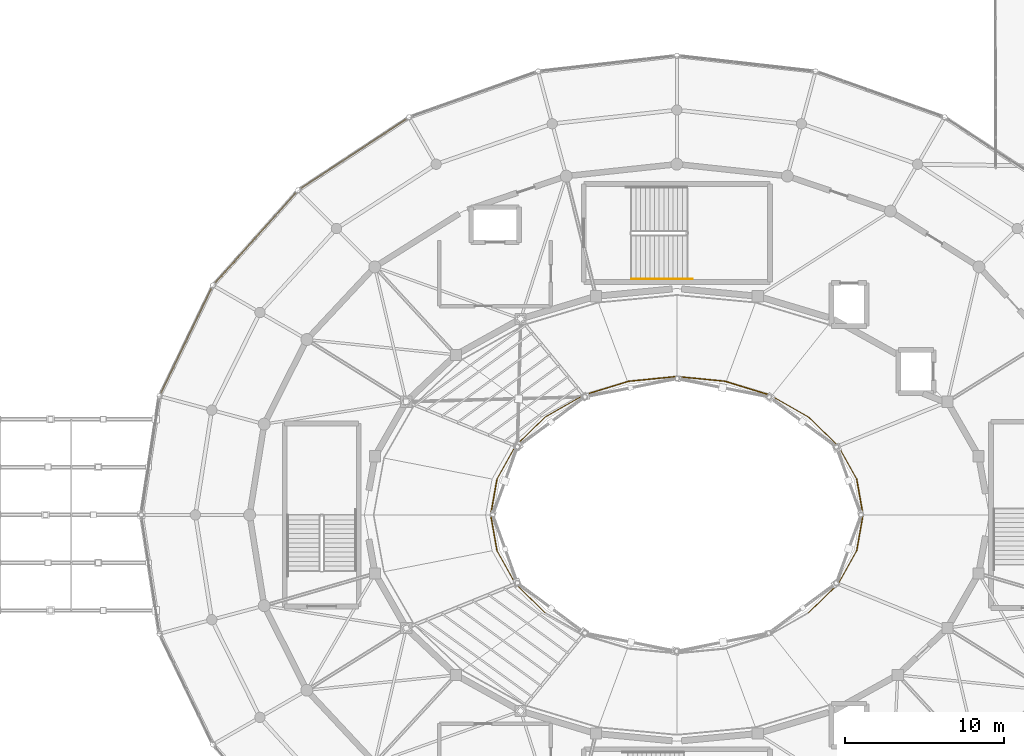
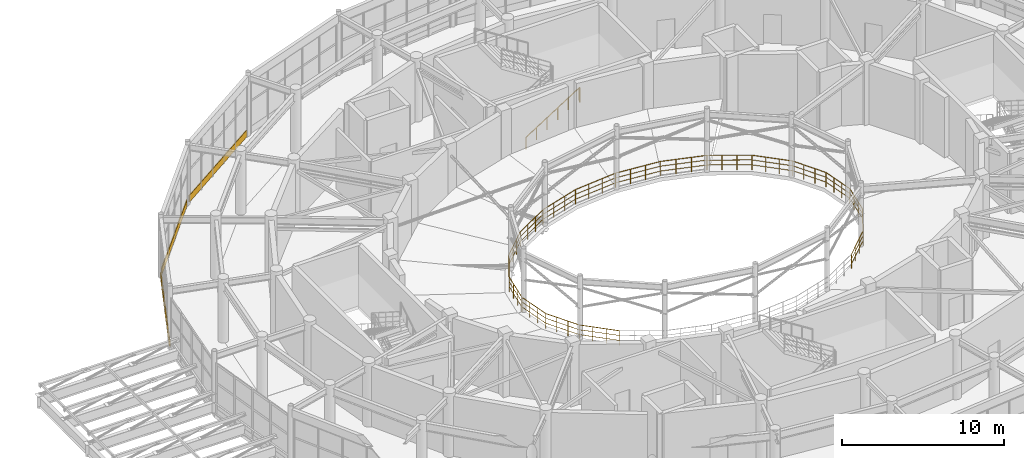
# One storey, part 135 of 144: 19 railings, 3 coverings.
"""IFC4 building model written with IfcOpenShell, lengths in metres."""

from ifc_helpers import new_model, si_unit, direction, frame, origin, origin_2d, place, context, subcontext, project, spatial, rectangle, circle, extrude, material, layer, layer_set, type_object, element, save


model = new_model("IFC4")

# Units and contexts
model_context = context("Model", 3, precision=1e-05, world=origin(), true_north=direction((0.0, 1.0)))
body_context = subcontext(model_context, "Body", "Model", "MODEL_VIEW")
ifc_project = project(units=[si_unit("LENGTHUNIT", "METRE"), si_unit("AREAUNIT", "SQUARE_METRE"), si_unit("VOLUMEUNIT", "CUBIC_METRE"), si_unit("PLANEANGLEUNIT", "RADIAN"), si_unit("MASSUNIT", "GRAM", prefix="KILO")], contexts=[model_context])

# Site, building, storey
site_placement = place(None, origin())
site = spatial("IfcSite", under=ifc_project, at=site_placement, CompositionType="ELEMENT")
building_placement = place(site_placement, origin())
building = spatial("IfcBuilding", under=site, at=building_placement, Name="Cinderbank Siding Concert Hall", CompositionType="ELEMENT")
storey_placement = place(building_placement, frame((0.0, 0.0, 5.39990234375)))
storey = spatial("IfcBuildingStorey", under=building, at=storey_placement, Name="L02", CompositionType="ELEMENT", Elevation=5.39990234375)

# Railings
ifc_material_1 = material(Name="Spotted gum glulam timber GL18 (42 MPa)", Category="wood")
railing_type_1 = type_object("IfcRailingType", Name="BAL-01 Auditorium Tier Balustrade 1120mm", PredefinedType="BALUSTRADE", material=ifc_material_1)
railing_1_placement = place(storey_placement, frame((133.679931640625, 44.0, 0.0)))
element("IfcRailing", 1, at=railing_1_placement, inside=storey, type_object=railing_type_1, Name="L02 Auditorium Circle Balustrade 01", PredefinedType="BALUSTRADE", context=body_context, shape_type="SweptSolid", body=[
    extrude(circle(Radius=0.02392578125, at=origin_2d()), frame((0.0, 0.0, 1.09619140625), z_axis=(-0.174420153546, 0.984671320816, 0.0), x_axis=(-0.984671320816, -0.174420153546, 0.0)), (0.0, 0.0, 1.0), 2.281494140625),
    extrude(circle(Radius=0.01611328125, at=origin_2d()), frame((0.0, 0.0, 0.36962890625), z_axis=(-0.174420153546, 0.984671320816, 0.0), x_axis=(-0.984671320816, -0.174420153546, 0.0)), (0.0, 0.0, 1.0), 2.281494140625),
    extrude(circle(Radius=0.01611328125, at=origin_2d()), frame((0.0, 0.0, 0.7392578125), z_axis=(-0.174420153546, 0.984671320816, 0.0), x_axis=(-0.984671320816, -0.174420153546, 0.0)), (0.0, 0.0, 1.0), 2.281494140625),
    extrude(circle(Radius=0.02099609375, at=origin_2d()), origin(), (0.0, 0.0, 1.0), 1.072021484375),
    extrude(circle(Radius=0.02099609375, at=origin_2d()), frame((-0.132568359375, 0.748779296875, 0.0)), (0.0, 0.0, 1.0), 1.072021484375),
    extrude(circle(Radius=0.02099609375, at=origin_2d()), frame((-0.265380859375, 1.497802734375, 0.0)), (0.0, 0.0, 1.0), 1.072021484375),
    extrude(circle(Radius=0.02099609375, at=origin_2d()), frame((-0.39794921875, 2.24658203125, 0.0)), (0.0, 0.0, 1.0), 1.072021484375),
])
railing_2_placement = place(storey_placement, frame((133.281982421875, 46.24658203125, 0.0)))
element("IfcRailing", 2, at=railing_2_placement, inside=storey, type_object=railing_type_1, Name="L02 Auditorium Circle Balustrade 02", PredefinedType="BALUSTRADE", context=body_context, shape_type="SweptSolid", body=[
    extrude(circle(Radius=0.02392578125, at=origin_2d()), frame((0.0, 0.0, 1.09619140625), z_axis=(-0.486818758281, 0.873503003192, 0.0), x_axis=(-0.873503003192, -0.486818758281, 0.0)), (0.0, 0.0, 1.0), 2.396728515625),
    extrude(circle(Radius=0.01611328125, at=origin_2d()), frame((0.0, 0.0, 0.36962890625), z_axis=(-0.486818758281, 0.873503003192, 0.0), x_axis=(-0.873503003192, -0.486818758281, 0.0)), (0.0, 0.0, 1.0), 2.396728515625),
    extrude(circle(Radius=0.01611328125, at=origin_2d()), frame((0.0, 0.0, 0.7392578125), z_axis=(-0.486818758281, 0.873503003192, 0.0), x_axis=(-0.873503003192, -0.486818758281, 0.0)), (0.0, 0.0, 1.0), 2.396728515625),
    extrude(circle(Radius=0.02099609375, at=origin_2d()), origin(), (0.0, 0.0, 1.0), 1.072021484375),
    extrude(circle(Radius=0.02099609375, at=origin_2d()), frame((-0.388916015625, 0.69775390625, 0.0)), (0.0, 0.0, 1.0), 1.072021484375),
    extrude(circle(Radius=0.02099609375, at=origin_2d()), frame((-0.77783203125, 1.395751953125, 0.0)), (0.0, 0.0, 1.0), 1.072021484375),
    extrude(circle(Radius=0.02099609375, at=origin_2d()), frame((-1.166748046875, 2.093505859375, 0.0)), (0.0, 0.0, 1.0), 1.072021484375),
])
railing_3_placement = place(storey_placement, frame((132.115234375, 48.340087890625, 0.0)))
element("IfcRailing", 3, at=railing_3_placement, inside=storey, type_object=railing_type_1, Name="L02 Auditorium Circle Balustrade 03", PredefinedType="BALUSTRADE", context=body_context, shape_type="SweptSolid", body=[
    extrude(circle(Radius=0.02392578125, at=origin_2d()), frame((0.0, 0.0, 1.09619140625), z_axis=(-0.71835383074, 0.695677923943, 0.0), x_axis=(-0.695677923943, -0.71835383074, 0.0)), (0.0, 0.0, 1.0), 2.583984375),
    extrude(circle(Radius=0.01611328125, at=origin_2d()), frame((0.0, 0.0, 0.36962890625), z_axis=(-0.71835383074, 0.695677923943, 0.0), x_axis=(-0.695677923943, -0.71835383074, 0.0)), (0.0, 0.0, 1.0), 2.583984375),
    extrude(circle(Radius=0.01611328125, at=origin_2d()), frame((0.0, 0.0, 0.7392578125), z_axis=(-0.71835383074, 0.695677923943, 0.0), x_axis=(-0.695677923943, -0.71835383074, 0.0)), (0.0, 0.0, 1.0), 2.583984375),
    extrude(circle(Radius=0.02099609375, at=origin_2d()), origin(), (0.0, 0.0, 1.0), 1.072021484375),
    extrude(circle(Radius=0.02099609375, at=origin_2d()), frame((-0.61865234375, 0.59912109375, 0.0)), (0.0, 0.0, 1.0), 1.072021484375),
    extrude(circle(Radius=0.02099609375, at=origin_2d()), frame((-1.237548828125, 1.198486328125, 0.0)), (0.0, 0.0, 1.0), 1.072021484375),
    extrude(circle(Radius=0.02099609375, at=origin_2d()), frame((-1.856201171875, 1.797607421875, 0.0)), (0.0, 0.0, 1.0), 1.072021484375),
])
railing_4_placement = place(storey_placement, frame((130.259033203125, 50.1376953125, 0.0)))
element("IfcRailing", 4, at=railing_4_placement, inside=storey, type_object=railing_type_1, Name="L02 Auditorium Circle Balustrade 04", PredefinedType="BALUSTRADE", context=body_context, shape_type="SweptSolid", body=[
    extrude(circle(Radius=0.02392578125, at=origin_2d()), frame((0.0, 0.0, 1.09619140625), z_axis=(-0.868685219128, 0.495364502228, 0.0), x_axis=(-0.495364502228, -0.868685219128, 0.0)), (0.0, 0.0, 1.0), 2.78466796875),
    extrude(circle(Radius=0.01611328125, at=origin_2d()), frame((0.0, 0.0, 0.36962890625), z_axis=(-0.868685219128, 0.495364502228, 0.0), x_axis=(-0.495364502228, -0.868685219128, 0.0)), (0.0, 0.0, 1.0), 2.78466796875),
    extrude(circle(Radius=0.01611328125, at=origin_2d()), frame((0.0, 0.0, 0.7392578125), z_axis=(-0.868685219128, 0.495364502228, 0.0), x_axis=(-0.495364502228, -0.868685219128, 0.0)), (0.0, 0.0, 1.0), 2.78466796875),
    extrude(circle(Radius=0.02099609375, at=origin_2d()), origin(), (0.0, 0.0, 1.0), 1.072021484375),
    extrude(circle(Radius=0.02099609375, at=origin_2d()), frame((-0.806396484375, 0.459716796875, 0.0)), (0.0, 0.0, 1.0), 1.072021484375),
    extrude(circle(Radius=0.02099609375, at=origin_2d()), frame((-1.612548828125, 0.919677734375, 0.0)), (0.0, 0.0, 1.0), 1.072021484375),
    extrude(circle(Radius=0.02099609375, at=origin_2d()), frame((-2.4189453125, 1.37939453125, 0.0)), (0.0, 0.0, 1.0), 1.072021484375),
])
railing_5_placement = place(storey_placement, frame((127.840087890625, 51.51708984375, 0.0)))
element("IfcRailing", 5, at=railing_5_placement, inside=storey, type_object=railing_type_1, Name="L02 Auditorium Circle Balustrade 05", PredefinedType="BALUSTRADE", context=body_context, shape_type="SweptSolid", body=[
    extrude(circle(Radius=0.02392578125, at=origin_2d()), frame((0.0, 0.0, 1.09619140625), z_axis=(-0.955743184461, 0.294202252466, 0.0), x_axis=(-0.294202252466, -0.955743184461, 0.0)), (0.0, 0.0, 1.0), 2.947509765625),
    extrude(circle(Radius=0.01611328125, at=origin_2d()), frame((0.0, 0.0, 0.36962890625), z_axis=(-0.955743184461, 0.294202252466, 0.0), x_axis=(-0.294202252466, -0.955743184461, 0.0)), (0.0, 0.0, 1.0), 2.947509765625),
    extrude(circle(Radius=0.01611328125, at=origin_2d()), frame((0.0, 0.0, 0.7392578125), z_axis=(-0.955743184461, 0.294202252466, 0.0), x_axis=(-0.294202252466, -0.955743184461, 0.0)), (0.0, 0.0, 1.0), 2.947509765625),
    extrude(circle(Radius=0.02099609375, at=origin_2d()), origin(), (0.0, 0.0, 1.0), 1.072021484375),
    extrude(circle(Radius=0.02099609375, at=origin_2d()), frame((-0.93896484375, 0.2890625, 0.0)), (0.0, 0.0, 1.0), 1.072021484375),
    extrude(circle(Radius=0.02099609375, at=origin_2d()), frame((-1.878173828125, 0.578125, 0.0)), (0.0, 0.0, 1.0), 1.072021484375),
    extrude(circle(Radius=0.02099609375, at=origin_2d()), frame((-2.817138671875, 0.8671875, 0.0)), (0.0, 0.0, 1.0), 1.072021484375),
])
railing_6_placement = place(storey_placement, frame((125.02294921875, 52.38427734375, 0.0)))
element("IfcRailing", 6, at=railing_6_placement, inside=storey, type_object=railing_type_1, Name="L02 Auditorium Circle Balustrade 06", PredefinedType="BALUSTRADE", context=body_context, shape_type="SweptSolid", body=[
    extrude(circle(Radius=0.02392578125, at=origin_2d()), frame((0.0, 0.0, 1.09619140625), z_axis=(-0.995251301544, 0.097338824598, 0.0), x_axis=(-0.097338824598, -0.995251301544, 0.0)), (0.0, 0.0, 1.0), 3.037353515625),
    extrude(circle(Radius=0.01611328125, at=origin_2d()), frame((0.0, 0.0, 0.36962890625), z_axis=(-0.995251301544, 0.097338824598, 0.0), x_axis=(-0.097338824598, -0.995251301544, 0.0)), (0.0, 0.0, 1.0), 3.037353515625),
    extrude(circle(Radius=0.01611328125, at=origin_2d()), frame((0.0, 0.0, 0.7392578125), z_axis=(-0.995251301544, 0.097338824598, 0.0), x_axis=(-0.097338824598, -0.995251301544, 0.0)), (0.0, 0.0, 1.0), 3.037353515625),
    extrude(circle(Radius=0.02099609375, at=origin_2d()), origin(), (0.0, 0.0, 1.0), 1.072021484375),
    extrude(circle(Radius=0.02099609375, at=origin_2d()), frame((-1.007568359375, 0.0986328125, 0.0)), (0.0, 0.0, 1.0), 1.072021484375),
    extrude(circle(Radius=0.02099609375, at=origin_2d()), frame((-2.015380859375, 0.197021484375, 0.0)), (0.0, 0.0, 1.0), 1.072021484375),
    extrude(circle(Radius=0.02099609375, at=origin_2d()), frame((-3.02294921875, 0.295654296875, 0.0)), (0.0, 0.0, 1.0), 1.072021484375),
])
railing_7_placement = place(storey_placement, frame((122.0, 52.679931640625, 0.0)))
element("IfcRailing", 7, at=railing_7_placement, inside=storey, type_object=railing_type_1, Name="L02 Auditorium Circle Balustrade 07", PredefinedType="BALUSTRADE", context=body_context, shape_type="SweptSolid", body=[
    extrude(circle(Radius=0.02392578125, at=origin_2d()), frame((0.0, 0.0, 1.09619140625), z_axis=(-0.995251301544, -0.097338824598, 0.0), x_axis=(0.097338824598, -0.995251301544, 0.0)), (0.0, 0.0, 1.0), 3.037353515625),
    extrude(circle(Radius=0.01611328125, at=origin_2d()), frame((0.0, 0.0, 0.36962890625), z_axis=(-0.995251301544, -0.097338824598, 0.0), x_axis=(0.097338824598, -0.995251301544, 0.0)), (0.0, 0.0, 1.0), 3.037353515625),
    extrude(circle(Radius=0.01611328125, at=origin_2d()), frame((0.0, 0.0, 0.7392578125), z_axis=(-0.995251301544, -0.097338824598, 0.0), x_axis=(0.097338824598, -0.995251301544, 0.0)), (0.0, 0.0, 1.0), 3.037353515625),
    extrude(circle(Radius=0.02099609375, at=origin_2d()), origin(), (0.0, 0.0, 1.0), 1.072021484375),
    extrude(circle(Radius=0.02099609375, at=origin_2d()), frame((-1.007568359375, -0.0986328125, 0.0)), (0.0, 0.0, 1.0), 1.072021484375),
    extrude(circle(Radius=0.02099609375, at=origin_2d()), frame((-2.015380859375, -0.197021484375, 0.0)), (0.0, 0.0, 1.0), 1.072021484375),
    extrude(circle(Radius=0.02099609375, at=origin_2d()), frame((-3.02294921875, -0.295654296875, 0.0)), (0.0, 0.0, 1.0), 1.072021484375),
])
railing_8_placement = place(storey_placement, frame((118.97705078125, 52.38427734375, 0.0)))
element("IfcRailing", 8, at=railing_8_placement, inside=storey, type_object=railing_type_1, Name="L02 Auditorium Circle Balustrade 08", PredefinedType="BALUSTRADE", context=body_context, shape_type="SweptSolid", body=[
    extrude(circle(Radius=0.02392578125, at=origin_2d()), frame((0.0, 0.0, 1.09619140625), z_axis=(-0.955743184461, -0.294202252466, 0.0), x_axis=(0.294202252466, -0.955743184461, 0.0)), (0.0, 0.0, 1.0), 2.947509765625),
    extrude(circle(Radius=0.01611328125, at=origin_2d()), frame((0.0, 0.0, 0.36962890625), z_axis=(-0.955743184461, -0.294202252466, 0.0), x_axis=(0.294202252466, -0.955743184461, 0.0)), (0.0, 0.0, 1.0), 2.947509765625),
    extrude(circle(Radius=0.01611328125, at=origin_2d()), frame((0.0, 0.0, 0.7392578125), z_axis=(-0.955743184461, -0.294202252466, 0.0), x_axis=(0.294202252466, -0.955743184461, 0.0)), (0.0, 0.0, 1.0), 2.947509765625),
    extrude(circle(Radius=0.02099609375, at=origin_2d()), origin(), (0.0, 0.0, 1.0), 1.072021484375),
    extrude(circle(Radius=0.02099609375, at=origin_2d()), frame((-0.93896484375, -0.2890625, 0.0)), (0.0, 0.0, 1.0), 1.072021484375),
    extrude(circle(Radius=0.02099609375, at=origin_2d()), frame((-1.878173828125, -0.578125, 0.0)), (0.0, 0.0, 1.0), 1.072021484375),
    extrude(circle(Radius=0.02099609375, at=origin_2d()), frame((-2.817138671875, -0.8671875, 0.0)), (0.0, 0.0, 1.0), 1.072021484375),
])
railing_9_placement = place(storey_placement, frame((116.159912109375, 51.51708984375, 0.0)))
element("IfcRailing", 9, at=railing_9_placement, inside=storey, type_object=railing_type_1, Name="L02 Auditorium Circle Balustrade 09", PredefinedType="BALUSTRADE", context=body_context, shape_type="SweptSolid", body=[
    extrude(circle(Radius=0.02392578125, at=origin_2d()), frame((0.0, 0.0, 1.09619140625), z_axis=(-0.868685219128, -0.495364502228, 0.0), x_axis=(0.495364502228, -0.868685219128, 0.0)), (0.0, 0.0, 1.0), 2.78466796875),
    extrude(circle(Radius=0.01611328125, at=origin_2d()), frame((0.0, 0.0, 0.36962890625), z_axis=(-0.868685219128, -0.495364502228, 0.0), x_axis=(0.495364502228, -0.868685219128, 0.0)), (0.0, 0.0, 1.0), 2.78466796875),
    extrude(circle(Radius=0.01611328125, at=origin_2d()), frame((0.0, 0.0, 0.7392578125), z_axis=(-0.868685219128, -0.495364502228, 0.0), x_axis=(0.495364502228, -0.868685219128, 0.0)), (0.0, 0.0, 1.0), 2.78466796875),
    extrude(circle(Radius=0.02099609375, at=origin_2d()), origin(), (0.0, 0.0, 1.0), 1.072021484375),
    extrude(circle(Radius=0.02099609375, at=origin_2d()), frame((-0.806396484375, -0.459716796875, 0.0)), (0.0, 0.0, 1.0), 1.072021484375),
    extrude(circle(Radius=0.02099609375, at=origin_2d()), frame((-1.612548828125, -0.919677734375, 0.0)), (0.0, 0.0, 1.0), 1.072021484375),
    extrude(circle(Radius=0.02099609375, at=origin_2d()), frame((-2.4189453125, -1.37939453125, 0.0)), (0.0, 0.0, 1.0), 1.072021484375),
])
railing_10_placement = place(storey_placement, frame((113.740966796875, 50.1376953125, 0.0)))
element("IfcRailing", 10, at=railing_10_placement, inside=storey, type_object=railing_type_1, Name="L02 Auditorium Circle Balustrade 10", PredefinedType="BALUSTRADE", context=body_context, shape_type="SweptSolid", body=[
    extrude(circle(Radius=0.02392578125, at=origin_2d()), frame((0.0, 0.0, 1.09619140625), z_axis=(-0.71835383074, -0.695677923943, 0.0), x_axis=(0.695677923943, -0.71835383074, 0.0)), (0.0, 0.0, 1.0), 2.583984375),
    extrude(circle(Radius=0.01611328125, at=origin_2d()), frame((0.0, 0.0, 0.36962890625), z_axis=(-0.71835383074, -0.695677923943, 0.0), x_axis=(0.695677923943, -0.71835383074, 0.0)), (0.0, 0.0, 1.0), 2.583984375),
    extrude(circle(Radius=0.01611328125, at=origin_2d()), frame((0.0, 0.0, 0.7392578125), z_axis=(-0.71835383074, -0.695677923943, 0.0), x_axis=(0.695677923943, -0.71835383074, 0.0)), (0.0, 0.0, 1.0), 2.583984375),
    extrude(circle(Radius=0.02099609375, at=origin_2d()), origin(), (0.0, 0.0, 1.0), 1.072021484375),
    extrude(circle(Radius=0.02099609375, at=origin_2d()), frame((-0.61865234375, -0.59912109375, 0.0)), (0.0, 0.0, 1.0), 1.072021484375),
    extrude(circle(Radius=0.02099609375, at=origin_2d()), frame((-1.237548828125, -1.198486328125, 0.0)), (0.0, 0.0, 1.0), 1.072021484375),
    extrude(circle(Radius=0.02099609375, at=origin_2d()), frame((-1.856201171875, -1.797607421875, 0.0)), (0.0, 0.0, 1.0), 1.072021484375),
])
railing_11_placement = place(storey_placement, frame((111.884765625, 48.340087890625, 0.0)))
element("IfcRailing", 11, at=railing_11_placement, inside=storey, type_object=railing_type_1, Name="L02 Auditorium Circle Balustrade 11", PredefinedType="BALUSTRADE", context=body_context, shape_type="SweptSolid", body=[
    extrude(circle(Radius=0.02392578125, at=origin_2d()), frame((0.0, 0.0, 1.09619140625), z_axis=(-0.486818758281, -0.873503003192, 0.0), x_axis=(0.873503003192, -0.486818758281, 0.0)), (0.0, 0.0, 1.0), 2.396728515625),
    extrude(circle(Radius=0.01611328125, at=origin_2d()), frame((0.0, 0.0, 0.36962890625), z_axis=(-0.486818758281, -0.873503003192, 0.0), x_axis=(0.873503003192, -0.486818758281, 0.0)), (0.0, 0.0, 1.0), 2.396728515625),
    extrude(circle(Radius=0.01611328125, at=origin_2d()), frame((0.0, 0.0, 0.7392578125), z_axis=(-0.486818758281, -0.873503003192, 0.0), x_axis=(0.873503003192, -0.486818758281, 0.0)), (0.0, 0.0, 1.0), 2.396728515625),
    extrude(circle(Radius=0.02099609375, at=origin_2d()), origin(), (0.0, 0.0, 1.0), 1.072021484375),
    extrude(circle(Radius=0.02099609375, at=origin_2d()), frame((-0.388916015625, -0.69775390625, 0.0)), (0.0, 0.0, 1.0), 1.072021484375),
    extrude(circle(Radius=0.02099609375, at=origin_2d()), frame((-0.77783203125, -1.395751953125, 0.0)), (0.0, 0.0, 1.0), 1.072021484375),
    extrude(circle(Radius=0.02099609375, at=origin_2d()), frame((-1.166748046875, -2.093505859375, 0.0)), (0.0, 0.0, 1.0), 1.072021484375),
])
railing_12_placement = place(storey_placement, frame((110.718017578125, 46.24658203125, 0.0)))
element("IfcRailing", 12, at=railing_12_placement, inside=storey, type_object=railing_type_1, Name="L02 Auditorium Circle Balustrade 12", PredefinedType="BALUSTRADE", context=body_context, shape_type="SweptSolid", body=[
    extrude(circle(Radius=0.02392578125, at=origin_2d()), frame((0.0, 0.0, 1.09619140625), z_axis=(-0.174420153546, -0.984671320816, 0.0), x_axis=(0.984671320816, -0.174420153546, 0.0)), (0.0, 0.0, 1.0), 2.281494140625),
    extrude(circle(Radius=0.01611328125, at=origin_2d()), frame((0.0, 0.0, 0.36962890625), z_axis=(-0.174420153546, -0.984671320816, 0.0), x_axis=(0.984671320816, -0.174420153546, 0.0)), (0.0, 0.0, 1.0), 2.281494140625),
    extrude(circle(Radius=0.01611328125, at=origin_2d()), frame((0.0, 0.0, 0.7392578125), z_axis=(-0.174420153546, -0.984671320816, 0.0), x_axis=(0.984671320816, -0.174420153546, 0.0)), (0.0, 0.0, 1.0), 2.281494140625),
    extrude(circle(Radius=0.02099609375, at=origin_2d()), origin(), (0.0, 0.0, 1.0), 1.072021484375),
    extrude(circle(Radius=0.02099609375, at=origin_2d()), frame((-0.132568359375, -0.748779296875, 0.0)), (0.0, 0.0, 1.0), 1.072021484375),
    extrude(circle(Radius=0.02099609375, at=origin_2d()), frame((-0.265380859375, -1.497802734375, 0.0)), (0.0, 0.0, 1.0), 1.072021484375),
    extrude(circle(Radius=0.02099609375, at=origin_2d()), frame((-0.39794921875, -2.24658203125, 0.0)), (0.0, 0.0, 1.0), 1.072021484375),
])
railing_13_placement = place(storey_placement, frame((110.320068359375, 44.0, 0.0)))
element("IfcRailing", 13, at=railing_13_placement, inside=storey, type_object=railing_type_1, Name="L02 Auditorium Circle Balustrade 13", PredefinedType="BALUSTRADE", context=body_context, shape_type="SweptSolid", body=[
    extrude(circle(Radius=0.02392578125, at=origin_2d()), frame((0.0, 0.0, 1.09619140625), z_axis=(0.174420153546, -0.984671320816, 0.0), x_axis=(0.984671320816, 0.174420153546, 0.0)), (0.0, 0.0, 1.0), 2.281494140625),
    extrude(circle(Radius=0.01611328125, at=origin_2d()), frame((0.0, 0.0, 0.36962890625), z_axis=(0.174420153546, -0.984671320816, 0.0), x_axis=(0.984671320816, 0.174420153546, 0.0)), (0.0, 0.0, 1.0), 2.281494140625),
    extrude(circle(Radius=0.01611328125, at=origin_2d()), frame((0.0, 0.0, 0.7392578125), z_axis=(0.174420153546, -0.984671320816, 0.0), x_axis=(0.984671320816, 0.174420153546, 0.0)), (0.0, 0.0, 1.0), 2.281494140625),
    extrude(circle(Radius=0.02099609375, at=origin_2d()), origin(), (0.0, 0.0, 1.0), 1.072021484375),
    extrude(circle(Radius=0.02099609375, at=origin_2d()), frame((0.132568359375, -0.748779296875, 0.0)), (0.0, 0.0, 1.0), 1.072021484375),
    extrude(circle(Radius=0.02099609375, at=origin_2d()), frame((0.265380859375, -1.497802734375, 0.0)), (0.0, 0.0, 1.0), 1.072021484375),
    extrude(circle(Radius=0.02099609375, at=origin_2d()), frame((0.39794921875, -2.24658203125, 0.0)), (0.0, 0.0, 1.0), 1.072021484375),
])
railing_14_placement = place(storey_placement, frame((110.718017578125, 41.75341796875, 0.0)))
element("IfcRailing", 14, at=railing_14_placement, inside=storey, type_object=railing_type_1, Name="L02 Auditorium Circle Balustrade 14", PredefinedType="BALUSTRADE", context=body_context, shape_type="SweptSolid", body=[
    extrude(circle(Radius=0.02392578125, at=origin_2d()), frame((0.0, 0.0, 1.09619140625), z_axis=(0.486818758281, -0.873503003192, 0.0), x_axis=(0.873503003192, 0.486818758281, 0.0)), (0.0, 0.0, 1.0), 2.396728515625),
    extrude(circle(Radius=0.01611328125, at=origin_2d()), frame((0.0, 0.0, 0.36962890625), z_axis=(0.486818758281, -0.873503003192, 0.0), x_axis=(0.873503003192, 0.486818758281, 0.0)), (0.0, 0.0, 1.0), 2.396728515625),
    extrude(circle(Radius=0.01611328125, at=origin_2d()), frame((0.0, 0.0, 0.7392578125), z_axis=(0.486818758281, -0.873503003192, 0.0), x_axis=(0.873503003192, 0.486818758281, 0.0)), (0.0, 0.0, 1.0), 2.396728515625),
    extrude(circle(Radius=0.02099609375, at=origin_2d()), origin(), (0.0, 0.0, 1.0), 1.072021484375),
    extrude(circle(Radius=0.02099609375, at=origin_2d()), frame((0.388916015625, -0.69775390625, 0.0)), (0.0, 0.0, 1.0), 1.072021484375),
    extrude(circle(Radius=0.02099609375, at=origin_2d()), frame((0.77783203125, -1.395751953125, 0.0)), (0.0, 0.0, 1.0), 1.072021484375),
    extrude(circle(Radius=0.02099609375, at=origin_2d()), frame((1.166748046875, -2.093505859375, 0.0)), (0.0, 0.0, 1.0), 1.072021484375),
])
railing_15_placement = place(storey_placement, frame((111.884765625, 39.659912109375, 0.0)))
element("IfcRailing", 15, at=railing_15_placement, inside=storey, type_object=railing_type_1, Name="L02 Auditorium Circle Balustrade 15", PredefinedType="BALUSTRADE", context=body_context, shape_type="SweptSolid", body=[
    extrude(circle(Radius=0.02392578125, at=origin_2d()), frame((0.0, 0.0, 1.09619140625), z_axis=(0.71835383074, -0.695677923943, 0.0), x_axis=(0.695677923943, 0.71835383074, 0.0)), (0.0, 0.0, 1.0), 2.583984375),
    extrude(circle(Radius=0.01611328125, at=origin_2d()), frame((0.0, 0.0, 0.36962890625), z_axis=(0.71835383074, -0.695677923943, 0.0), x_axis=(0.695677923943, 0.71835383074, 0.0)), (0.0, 0.0, 1.0), 2.583984375),
    extrude(circle(Radius=0.01611328125, at=origin_2d()), frame((0.0, 0.0, 0.7392578125), z_axis=(0.71835383074, -0.695677923943, 0.0), x_axis=(0.695677923943, 0.71835383074, 0.0)), (0.0, 0.0, 1.0), 2.583984375),
    extrude(circle(Radius=0.02099609375, at=origin_2d()), origin(), (0.0, 0.0, 1.0), 1.072021484375),
    extrude(circle(Radius=0.02099609375, at=origin_2d()), frame((0.61865234375, -0.59912109375, 0.0)), (0.0, 0.0, 1.0), 1.072021484375),
    extrude(circle(Radius=0.02099609375, at=origin_2d()), frame((1.237548828125, -1.198486328125, 0.0)), (0.0, 0.0, 1.0), 1.072021484375),
    extrude(circle(Radius=0.02099609375, at=origin_2d()), frame((1.856201171875, -1.797607421875, 0.0)), (0.0, 0.0, 1.0), 1.072021484375),
])
railing_16_placement = place(storey_placement, frame((130.259033203125, 37.8623046875, 0.0)))
element("IfcRailing", 16, at=railing_16_placement, inside=storey, type_object=railing_type_1, Name="L02 Auditorium Circle Balustrade 22", PredefinedType="BALUSTRADE", context=body_context, shape_type="SweptSolid", body=[
    extrude(circle(Radius=0.02392578125, at=origin_2d()), frame((0.0, 0.0, 1.09619140625), z_axis=(0.71835383074, 0.695677923943, 0.0), x_axis=(-0.695677923943, 0.71835383074, 0.0)), (0.0, 0.0, 1.0), 2.583984375),
    extrude(circle(Radius=0.01611328125, at=origin_2d()), frame((0.0, 0.0, 0.36962890625), z_axis=(0.71835383074, 0.695677923943, 0.0), x_axis=(-0.695677923943, 0.71835383074, 0.0)), (0.0, 0.0, 1.0), 2.583984375),
    extrude(circle(Radius=0.01611328125, at=origin_2d()), frame((0.0, 0.0, 0.7392578125), z_axis=(0.71835383074, 0.695677923943, 0.0), x_axis=(-0.695677923943, 0.71835383074, 0.0)), (0.0, 0.0, 1.0), 2.583984375),
    extrude(circle(Radius=0.02099609375, at=origin_2d()), origin(), (0.0, 0.0, 1.0), 1.072021484375),
    extrude(circle(Radius=0.02099609375, at=origin_2d()), frame((0.61865234375, 0.59912109375, 0.0)), (0.0, 0.0, 1.0), 1.072021484375),
    extrude(circle(Radius=0.02099609375, at=origin_2d()), frame((1.237548828125, 1.198486328125, 0.0)), (0.0, 0.0, 1.0), 1.072021484375),
    extrude(circle(Radius=0.02099609375, at=origin_2d()), frame((1.856201171875, 1.797607421875, 0.0)), (0.0, 0.0, 1.0), 1.072021484375),
])
railing_17_placement = place(storey_placement, frame((132.115234375, 39.659912109375, 0.0)))
element("IfcRailing", 17, at=railing_17_placement, inside=storey, type_object=railing_type_1, Name="L02 Auditorium Circle Balustrade 23", PredefinedType="BALUSTRADE", context=body_context, shape_type="SweptSolid", body=[
    extrude(circle(Radius=0.02392578125, at=origin_2d()), frame((0.0, 0.0, 1.09619140625), z_axis=(0.486818758281, 0.873503003192, 0.0), x_axis=(-0.873503003192, 0.486818758281, 0.0)), (0.0, 0.0, 1.0), 2.396728515625),
    extrude(circle(Radius=0.01611328125, at=origin_2d()), frame((0.0, 0.0, 0.36962890625), z_axis=(0.486818758281, 0.873503003192, 0.0), x_axis=(-0.873503003192, 0.486818758281, 0.0)), (0.0, 0.0, 1.0), 2.396728515625),
    extrude(circle(Radius=0.01611328125, at=origin_2d()), frame((0.0, 0.0, 0.7392578125), z_axis=(0.486818758281, 0.873503003192, 0.0), x_axis=(-0.873503003192, 0.486818758281, 0.0)), (0.0, 0.0, 1.0), 2.396728515625),
    extrude(circle(Radius=0.02099609375, at=origin_2d()), origin(), (0.0, 0.0, 1.0), 1.072021484375),
    extrude(circle(Radius=0.02099609375, at=origin_2d()), frame((0.388916015625, 0.69775390625, 0.0)), (0.0, 0.0, 1.0), 1.072021484375),
    extrude(circle(Radius=0.02099609375, at=origin_2d()), frame((0.77783203125, 1.395751953125, 0.0)), (0.0, 0.0, 1.0), 1.072021484375),
    extrude(circle(Radius=0.02099609375, at=origin_2d()), frame((1.166748046875, 2.093505859375, 0.0)), (0.0, 0.0, 1.0), 1.072021484375),
])
railing_18_placement = place(storey_placement, frame((133.281982421875, 41.75341796875, 0.0)))
element("IfcRailing", 18, at=railing_18_placement, inside=storey, type_object=railing_type_1, Name="L02 Auditorium Circle Balustrade 24", PredefinedType="BALUSTRADE", context=body_context, shape_type="SweptSolid", body=[
    extrude(circle(Radius=0.02392578125, at=origin_2d()), frame((0.0, 0.0, 1.09619140625), z_axis=(0.174420153546, 0.984671320816, 0.0), x_axis=(-0.984671320816, 0.174420153546, 0.0)), (0.0, 0.0, 1.0), 2.281494140625),
    extrude(circle(Radius=0.01611328125, at=origin_2d()), frame((0.0, 0.0, 0.36962890625), z_axis=(0.174420153546, 0.984671320816, 0.0), x_axis=(-0.984671320816, 0.174420153546, 0.0)), (0.0, 0.0, 1.0), 2.281494140625),
    extrude(circle(Radius=0.01611328125, at=origin_2d()), frame((0.0, 0.0, 0.7392578125), z_axis=(0.174420153546, 0.984671320816, 0.0), x_axis=(-0.984671320816, 0.174420153546, 0.0)), (0.0, 0.0, 1.0), 2.281494140625),
    extrude(circle(Radius=0.02099609375, at=origin_2d()), origin(), (0.0, 0.0, 1.0), 1.072021484375),
    extrude(circle(Radius=0.02099609375, at=origin_2d()), frame((0.132568359375, 0.748779296875, 0.0)), (0.0, 0.0, 1.0), 1.072021484375),
    extrude(circle(Radius=0.02099609375, at=origin_2d()), frame((0.265380859375, 1.497802734375, 0.0)), (0.0, 0.0, 1.0), 1.072021484375),
    extrude(circle(Radius=0.02099609375, at=origin_2d()), frame((0.39794921875, 2.24658203125, 0.0)), (0.0, 0.0, 1.0), 1.072021484375),
])

# Coverings
ifc_layer = layer(ifc_material_1, 0.06494140625)
ifc_layer_set = layer_set([ifc_layer], Name="Spotted gum glulam timber GL18 (42 MPa)")
covering_type = type_object("IfcCoveringType", Name="CL-01 Spotted Gum Spandrel Band 520mm", PredefinedType="CLADDING", material=ifc_layer_set)
covering_1_placement = place(storey_placement, frame((101.720703125, 66.653076171875, 0.0), z_axis=(0.0, 0.0, 1.0), x_axis=(-0.835491932304, -0.549502712509, 0.0)))
element("IfcCovering", 19, at=covering_1_placement, inside=storey, type_object=covering_type, Name="CW-L02-009 Spotted Gum Spandrel Band", PredefinedType="CLADDING", context=body_context, shape_type="SweptSolid", body=[
    extrude(rectangle(XDim=7.875, YDim=0.06494140625, at=origin_2d()), origin(), (0.0, 0.0, 1.0), 0.52001953125),
])
covering_2_placement = place(storey_placement, frame((95.5712890625, 61.38232421875, 0.0), z_axis=(0.0, 0.0, 1.0), x_axis=(-0.666993465338, -0.745063565877, 0.0)))
element("IfcCovering", 20, at=covering_2_placement, inside=storey, type_object=covering_type, Name="CW-L02-010 Spotted Gum Spandrel Band", PredefinedType="CLADDING", context=body_context, shape_type="SweptSolid", body=[
    extrude(rectangle(XDim=7.5517578125, YDim=0.06494140625, at=origin_2d()), origin(), (0.0, 0.0, 1.0), 0.52001953125),
])
covering_3_placement = place(storey_placement, frame((91.22314453125, 54.927001953125, 0.0), z_axis=(0.0, 0.0, 1.0), x_axis=(-0.435102109714, -0.900381116041, 0.0)))
element("IfcCovering", 21, at=covering_3_placement, inside=storey, type_object=covering_type, Name="CW-L02-011 Spotted Gum Spandrel Band", PredefinedType="CLADDING", context=body_context, shape_type="SweptSolid", body=[
    extrude(rectangle(XDim=7.260498046875, YDim=0.06494140625, at=origin_2d()), origin(), (0.0, 0.0, 1.0), 0.52001953125),
])

# Railing
ifc_material_2 = material(Name="Structural steel AS/NZS 3679.1 Grade 350 (340 MPa)", Category="steel")
railing_type_2 = type_object("IfcRailingType", Name="STH-01 Stair Pitch Handrail 920mm", PredefinedType="HANDRAIL", material=ifc_material_2)
railing_19_placement = place(storey_placement, frame((119.14990234375, 58.800048828125, 0.184814453125)))
element("IfcRailing", 22, at=railing_19_placement, inside=storey, type_object=railing_type_2, Name="L02 ST-01 stair handrail 1", PredefinedType="HANDRAIL", context=body_context, shape_type="SweptSolid", body=[
    extrude(circle(Radius=0.02392578125, at=origin_2d()), frame((0.0, 0.0, 0.89599609375), z_axis=(0.843580498726, 0.0, 0.537002739443), x_axis=(0.0, 1.0, 0.0)), (0.0, 0.0, 1.0), 4.468994140625),
    extrude(circle(Radius=0.02392578125, at=origin_2d()), frame((3.77001953125, 0.0, 3.2958984375), z_axis=(1.0, 0.0, 0.0), x_axis=(0.0, 1.0, 0.0)), (0.0, 0.0, 1.0), 0.06005859375),
    extrude(circle(Radius=0.02099609375, at=origin_2d()), origin(), (0.0, 0.0, 1.0), 0.871826171875),
    extrude(circle(Radius=0.02099609375, at=origin_2d()), frame((0.75390625, 0.0, 0.47998046875)), (0.0, 0.0, 1.0), 0.871826171875),
    extrude(circle(Radius=0.02099609375, at=origin_2d()), frame((1.508056640625, 0.0, 0.9599609375)), (0.0, 0.0, 1.0), 0.871826171875),
    extrude(circle(Radius=0.02099609375, at=origin_2d()), frame((2.261962890625, 0.0, 1.43994140625)), (0.0, 0.0, 1.0), 0.871826171875),
    extrude(circle(Radius=0.02099609375, at=origin_2d()), frame((3.01611328125, 0.0, 1.919921875)), (0.0, 0.0, 1.0), 0.871826171875),
    extrude(circle(Radius=0.02099609375, at=origin_2d()), frame((3.77001953125, 0.0, 2.39990234375)), (0.0, 0.0, 1.0), 0.871826171875),
    extrude(circle(Radius=0.02099609375, at=origin_2d()), frame((3.830078125, 0.0, 2.21533203125)), (0.0, 0.0, 1.0), 1.056396484375),
])

save(model, "model.ifc")
